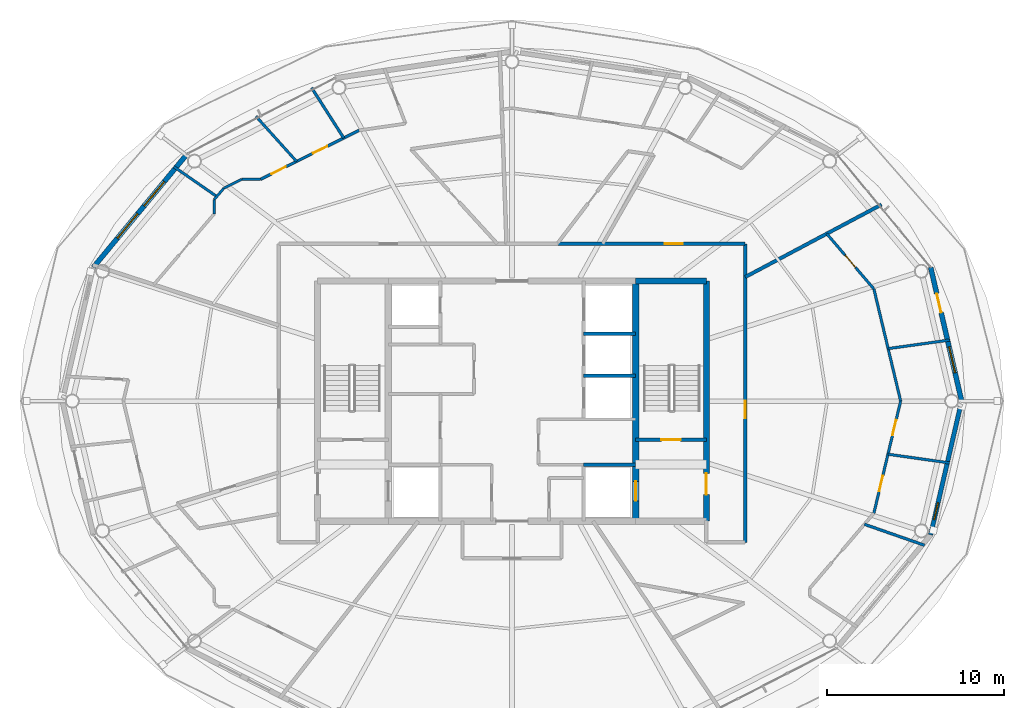
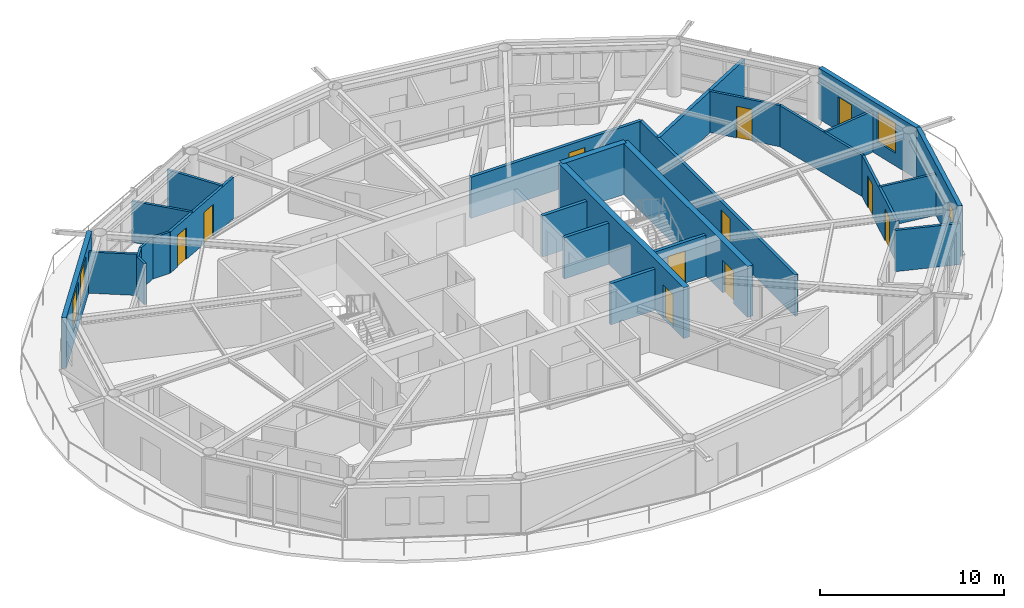
# One storey, part 18 of 22: 27 walls, 11 doors, 4 windows, 15 openings.
"""IFC4 building model written with IfcOpenShell, lengths in metres."""

from ifc_helpers import new_model, si_unit, direction, frame, frame_2d, origin, place, context, subcontext, project, spatial, rectangle, extrude, material, layer, layer_set, type_object, element, fill, save


model = new_model("IFC4")

# Units and contexts
model_context = context("Model", 3, precision=1e-05, world=origin(), true_north=direction((0.0, 1.0)))
body_context = subcontext(model_context, "Body", "Model", "MODEL_VIEW")
ifc_project = project(units=[si_unit("LENGTHUNIT", "METRE"), si_unit("AREAUNIT", "SQUARE_METRE"), si_unit("VOLUMEUNIT", "CUBIC_METRE"), si_unit("PLANEANGLEUNIT", "RADIAN"), si_unit("MASSUNIT", "GRAM", prefix="KILO")], contexts=[model_context])

# Site, building, storey
site_placement = place(None, origin())
site = spatial("IfcSite", under=ifc_project, at=site_placement, CompositionType="ELEMENT")
building_placement = place(site_placement, origin())
building = spatial("IfcBuilding", under=site, at=building_placement, Name="Sarneth Arch Tower", CompositionType="ELEMENT")
storey_placement = place(building_placement, frame((0.0, 0.0, 287.39990234375)))
storey = spatial("IfcBuildingStorey", under=building, at=storey_placement, Name="L74", CompositionType="ELEMENT", Elevation=287.39990234375)

# Wall
ifc_material_1 = material(Name="Concrete C50/60", Category="concrete")
ifc_layer_1 = layer(ifc_material_1, 0.35009765625)
ifc_layer_set_1 = layer_set([ifc_layer_1], Name="Concrete C50/60")
wall_type_1 = type_object("IfcWallType", Name="WALL-CORE-350", PredefinedType="SHEAR", material=ifc_layer_set_1)
wall_1_placement = place(storey_placement, frame((55.0, 48.800048828125, 0.0), z_axis=(0.0, 0.0, 1.0), x_axis=(1.0, 0.0, 0.0)))
element("IfcWall", 1, at=wall_1_placement, inside=storey, type_object=wall_type_1, Name="L74 Core shear wall N-E", PredefinedType="SHEAR", context=body_context, shape_type="SweptSolid", body=[
    extrude(rectangle(XDim=4.0, YDim=0.35009765625, at=frame_2d((2.0, 0.0))), origin(), (0.0, 0.0, 1.0), 3.3701171875),
])

# Wall, opening, door
wall_2_placement = place(storey_placement, frame((59.0, 35.199951171875, 0.0), z_axis=(0.0, 0.0, 1.0), x_axis=(0.0, 1.0, 0.0)))
wall_2 = element("IfcWall", 2, at=wall_2_placement, inside=storey, type_object=wall_type_1, Name="L74 Core shear wall E", PredefinedType="SHEAR", context=body_context, shape_type="SweptSolid", body=[
    extrude(rectangle(XDim=13.60009765625, YDim=0.35009765625, at=frame_2d((6.800048828125, 0.0))), origin(), (0.0, 0.0, 1.0), 3.3701171875),
])
opening_1_placement = place(wall_2_placement, frame((1.5, 0.0, 0.0)))
opening_1 = element("IfcOpeningElement", 3, at=opening_1_placement, cuts=wall_2, Name="Opening FD-02", PredefinedType="OPENING", context=body_context, shape_type="SweptSolid", body=[
    extrude(rectangle(XDim=1.199951171875, YDim=2.14990234375, at=frame_2d((0.60009765625, 1.074951171875))), frame((0.0, 0.18505859375, 0.0), z_axis=(0.0, -1.0, 0.0), x_axis=(1.0, 0.0, 0.0)), (0.0, 0.0, 1.0), 0.3701171875),
])
ifc_material_2 = material(Name="Galvanised Steel S275 fire door set", Category="steel")
door_type_1 = type_object("IfcDoorType", Name="DR-FD90-1200", OperationType="SINGLE_SWING_LEFT", PredefinedType="DOOR", material=ifc_material_2)
door_1_placement = place(opening_1_placement, origin())
door_1 = element("IfcDoor", 4, at=door_1_placement, inside=storey, type_object=door_type_1, Name="L74 Firefighting lobby 2 exit door", OperationType="SINGLE_SWING_RIGHT", OverallHeight=2.14990234375, OverallWidth=1.199951171875, PredefinedType="DOOR", context=body_context, shape_type="SweptSolid", body=[
    extrude(rectangle(XDim=1.199951171875, YDim=2.14990234375, at=frame_2d((0.60009765625, 1.074951171875))), frame((0.0, 0.02490234375, 0.0), z_axis=(0.0, -1.0, 0.0), x_axis=(1.0, 0.0, 0.0)), (0.0, 0.0, 1.0), 0.050048828125),
])
fill(opening_1, door_1)

wall_3_placement = place(storey_placement, frame((55.0, 35.199951171875, 0.0), z_axis=(0.0, 0.0, 1.0), x_axis=(0.0, 1.0, 0.0)))
wall_3 = element("IfcWall", 5, at=wall_3_placement, inside=storey, type_object=wall_type_1, Name="L74 Core shear wall WEB-E", PredefinedType="SHEAR", context=body_context, shape_type="SweptSolid", body=[
    extrude(rectangle(XDim=13.60009765625, YDim=0.35009765625, at=frame_2d((6.800048828125, 0.0))), origin(), (0.0, 0.0, 1.0), 3.3701171875),
])
opening_2_placement = place(wall_3_placement, frame((1.14990234375, 0.0, 0.0)))
opening_2 = element("IfcOpeningElement", 6, at=opening_2_placement, cuts=wall_3, Name="Opening LD-1", PredefinedType="OPENING", context=body_context, shape_type="SweptSolid", body=[
    extrude(rectangle(XDim=1.10009765625, YDim=2.199951171875, at=frame_2d((0.550048828125, 1.10009765625))), frame((0.0, 0.18505859375, 0.0), z_axis=(0.0, -1.0, 0.0), x_axis=(1.0, 0.0, 0.0)), (0.0, 0.0, 1.0), 0.3701171875),
])
ifc_material_3 = material(Name="Brushed Stainless Steel 304 lift landing door", Category="steel")
door_type_2 = type_object("IfcDoorType", Name="DR-LIFT-SLIDE-1100", OperationType="SLIDING_TO_LEFT", PredefinedType="DOOR", material=ifc_material_3)
door_2_placement = place(opening_2_placement, origin())
door_2 = element("IfcDoor", 7, at=door_2_placement, inside=storey, type_object=door_type_2, Name="L74 Firefighting lift landing door FL-2", OperationType="SLIDING_TO_RIGHT", OverallHeight=2.199951171875, OverallWidth=1.10009765625, PredefinedType="DOOR", context=body_context, shape_type="SweptSolid", body=[
    extrude(rectangle(XDim=1.10009765625, YDim=2.199951171875, at=frame_2d((0.550048828125, 1.10009765625))), frame((0.0, 0.02490234375, 0.0), z_axis=(0.0, -1.0, 0.0), x_axis=(1.0, 0.0, 0.0)), (0.0, 0.0, 1.0), 0.050048828125),
])
fill(opening_2, door_2)

ifc_material_4 = material(Name="Double steel-stud corridor fire wall", Category="steel")
ifc_layer_2 = layer(ifc_material_4, 0.18994140625)
ifc_layer_set_2 = layer_set([ifc_layer_2], Name="Double steel-stud corridor fire wall")
wall_type_2 = type_object("IfcWallType", Name="WALL-CORR-190", PredefinedType="PARTITIONING", material=ifc_layer_set_2)
wall_4_placement = place(storey_placement, frame((61.199951171875, 50.89990234375, 0.0), z_axis=(0.0, 0.0, 1.0), x_axis=(0.0, -1.0, 0.0)))
wall_4 = element("IfcWall", 8, at=wall_4_placement, inside=storey, type_object=wall_type_2, Name="L74 Interior partition W-L74-TP-013", PredefinedType="PARTITIONING", context=body_context, shape_type="SweptSolid", body=[
    extrude(rectangle(XDim=16.89990234375, YDim=0.18994140625, at=frame_2d((8.449951171875, 0.0))), origin(), (0.0, 0.0, 1.0), 2.72998046875),
])
opening_3_placement = place(wall_4_placement, frame((8.87255859375, 0.0, 0.0)))
opening_3 = element("IfcOpeningElement", 9, at=opening_3_placement, cuts=wall_4, Name="Opening FD-08", PredefinedType="OPENING", context=body_context, shape_type="SweptSolid", body=[
    extrude(rectangle(XDim=1.0, YDim=2.199951171875, at=frame_2d((0.5, 1.10009765625))), frame((0.0, 0.10498046875, 0.0), z_axis=(0.0, -1.0, 0.0), x_axis=(1.0, 0.0, 0.0)), (0.0, 0.0, 1.0), 0.2099609375),
])
ifc_material_5 = material(Name="Hardwood timber acoustic fire door", Category="wood")
door_type_3 = type_object("IfcDoorType", Name="DR-FD60-1000", OperationType="SINGLE_SWING_LEFT", PredefinedType="DOOR", material=ifc_material_5)
door_3_placement = place(opening_3_placement, origin())
door_3 = element("IfcDoor", 10, at=door_3_placement, inside=storey, type_object=door_type_3, Name="L74 Interior door DR-L74-U5-ENT", OperationType="SINGLE_SWING_LEFT", OverallHeight=2.199951171875, OverallWidth=1.0, PredefinedType="DOOR", context=body_context, shape_type="SweptSolid", body=[
    extrude(rectangle(XDim=1.0, YDim=2.199951171875, at=frame_2d((0.5, 1.10009765625))), frame((0.0, 0.02490234375, 0.0), z_axis=(0.0, -1.0, 0.0), x_axis=(1.0, 0.0, 0.0)), (0.0, 0.0, 1.0), 0.050048828125),
])
fill(opening_3, door_3)

wall_5_placement = place(storey_placement, frame((50.515380859375, 50.89990234375, 0.0), z_axis=(0.0, 0.0, 1.0), x_axis=(1.0, 0.0, 0.0)))
wall_5 = element("IfcWall", 11, at=wall_5_placement, inside=storey, type_object=wall_type_2, Name="L74 Interior partition W-L74-TP-002", PredefinedType="PARTITIONING", context=body_context, shape_type="SweptSolid", body=[
    extrude(rectangle(XDim=10.6845703125, YDim=0.18994140625, at=frame_2d((5.34228515625, 0.0))), origin(), (0.0, 0.0, 1.0), 2.72998046875),
])
opening_4_placement = place(wall_5_placement, frame((6.135498046875, 0.0, 0.0)))
opening_4 = element("IfcOpeningElement", 12, at=opening_4_placement, cuts=wall_5, Name="Opening FD-08", PredefinedType="OPENING", context=body_context, shape_type="SweptSolid", body=[
    extrude(rectangle(XDim=1.0, YDim=2.199951171875, at=frame_2d((0.5, 1.10009765625))), frame((0.0, 0.10498046875, 0.0), z_axis=(0.0, -1.0, 0.0), x_axis=(1.0, 0.0, 0.0)), (0.0, 0.0, 1.0), 0.2099609375),
])
door_4_placement = place(opening_4_placement, origin())
door_4 = element("IfcDoor", 13, at=door_4_placement, inside=storey, type_object=door_type_3, Name="L74 Interior door DR-L74-U1-ENT", OperationType="SINGLE_SWING_LEFT", OverallHeight=2.199951171875, OverallWidth=1.0, PredefinedType="DOOR", context=body_context, shape_type="SweptSolid", body=[
    extrude(rectangle(XDim=1.0, YDim=2.199951171875, at=frame_2d((0.5, 1.10009765625))), frame((0.0, 0.02490234375, 0.0), z_axis=(0.0, -1.0, 0.0), x_axis=(1.0, 0.0, 0.0)), (0.0, 0.0, 1.0), 0.050048828125),
])
fill(opening_4, door_4)

# Wall, opening, window
ifc_material_6 = material(Name="Extruded terracotta rainscreen on Concrete C40/50 backing", Category="masonry")
ifc_layer_3 = layer(ifc_material_6, 0.25)
ifc_layer_set_3 = layer_set([ifc_layer_3], Name="Extruded terracotta rainscreen on Concrete C40/50 backing")
wall_type_3 = type_object("IfcWallType", Name="WALL-EXT-SPAND-250", PredefinedType="SOLIDWALL", material=ifc_layer_set_3)
wall_6_placement = place(storey_placement, frame((71.69384765625, 34.430419921875, 0.0), z_axis=(0.0, 0.0, 1.0), x_axis=(0.225635078214, 0.974211892495, 0.0)))
wall_6 = element("IfcWall", 14, at=wall_6_placement, inside=storey, type_object=wall_type_3, Name="L74 Terracotta perimeter wall 16", PredefinedType="SOLIDWALL", context=body_context, shape_type="SweptSolid", body=[
    extrude(rectangle(XDim=7.77001953125, YDim=0.25, at=frame_2d((3.885009765625, 0.0))), origin(), (0.0, 0.0, 1.0), 3.3701171875),
])
opening_5_placement = place(wall_6_placement, frame((0.877685546875, 0.0, 1.419921875)))
opening_5 = element("IfcOpeningElement", 15, at=opening_5_placement, cuts=wall_6, Name="Opening W-14", PredefinedType="OPENING", context=body_context, shape_type="SweptSolid", body=[
    extrude(rectangle(XDim=1.0, YDim=1.050048828125, at=frame_2d((0.5, 0.52490234375))), frame((0.0, 0.135009765625, 0.0), z_axis=(0.0, -1.0, 0.0), x_axis=(1.0, 0.0, 0.0)), (0.0, 0.0, 1.0), 0.27001953125),
])
ifc_material_7 = material(Name="Thermally broken Aluminium 6063-T6 and low-e laminated IGU", Category="aluminium")
window_type_1 = type_object("IfcWindowType", Name="WIN-TWR-1000x1050", PartitioningType="SINGLE_PANEL", PredefinedType="WINDOW", material=ifc_material_7)
window_1_placement = place(opening_5_placement, origin())
window_1 = element("IfcWindow", 16, at=window_1_placement, inside=storey, type_object=window_type_1, Name="L74 Dwelling bedroom window 04", OverallHeight=1.050048828125, OverallWidth=1.0, PartitioningType="SINGLE_PANEL", PredefinedType="WINDOW", context=body_context, shape_type="SweptSolid", body=[
    extrude(rectangle(XDim=1.0, YDim=1.050048828125, at=frame_2d((0.5, 0.52490234375))), frame((0.0, 0.030029296875, 0.0), z_axis=(0.0, -1.0, 0.0), x_axis=(1.0, 0.0, 0.0)), (0.0, 0.0, 1.0), 0.06005859375),
])
fill(opening_5, window_1)

# Wall, openings, door, window
ifc_material_8 = material(Name="Extruded terracotta rainscreen on Concrete C40/50 backing", Category="masonry")
ifc_layer_4 = layer(ifc_material_8, 0.280029296875)
ifc_layer_set_4 = layer_set([ifc_layer_4], Name="Extruded terracotta rainscreen on Concrete C40/50 backing")
wall_type_4 = type_object("IfcWallType", Name="WALL-EXT-TERRA-280", PredefinedType="SOLIDWALL", material=ifc_layer_set_4)
wall_7_placement = place(storey_placement, frame((73.447021484375, 42.0, 0.0), z_axis=(0.0, 0.0, 1.0), x_axis=(-0.225635078214, 0.974211892495, 0.0)))
wall_7 = element("IfcWall", 17, at=wall_7_placement, inside=storey, type_object=wall_type_4, Name="L74 Terracotta perimeter wall 01", PredefinedType="SOLIDWALL", context=body_context, shape_type="SweptSolid", body=[
    extrude(rectangle(XDim=7.77001953125, YDim=0.280029296875, at=frame_2d((3.885009765625, 0.0))), origin(), (0.0, 0.0, 1.0), 3.3701171875),
])
opening_6_placement = place(wall_7_placement, frame((1.646728515625, 0.0, 0.85009765625)))
opening_6 = element("IfcOpeningElement", 18, at=opening_6_placement, cuts=wall_7, Name="Opening W-06", PredefinedType="OPENING", context=body_context, shape_type="SweptSolid", body=[
    extrude(rectangle(XDim=1.5, YDim=2.0, at=frame_2d((0.75, 1.0))), frame((0.0, 0.14990234375, 0.0), z_axis=(0.0, -1.0, 0.0), x_axis=(1.0, 0.0, 0.0)), (0.0, 0.0, 1.0), 0.300048828125),
])
opening_7_placement = place(wall_7_placement, frame((5.14208984375, 0.0, 0.0)))
opening_7 = element("IfcOpeningElement", 19, at=opening_7_placement, cuts=wall_7, Name="Opening BD-3", PredefinedType="OPENING", context=body_context, shape_type="SweptSolid", body=[
    extrude(rectangle(XDim=1.10009765625, YDim=2.25, at=frame_2d((0.550048828125, 1.125))), frame((0.0, 0.14990234375, 0.0), z_axis=(0.0, -1.0, 0.0), x_axis=(1.0, 0.0, 0.0)), (0.0, 0.0, 1.0), 0.300048828125),
])
ifc_material_9 = material(Name="Thermally broken Aluminium 6063-T6 and laminated safety glass", Category="aluminium")
door_type_4 = type_object("IfcDoorType", Name="DR-BALC-GLZ-1100", OperationType="SINGLE_SWING_LEFT", PredefinedType="DOOR", material=ifc_material_9)
door_5_placement = place(opening_7_placement, origin())
door_5 = element("IfcDoor", 20, at=door_5_placement, inside=storey, type_object=door_type_4, Name="L74 Balcony glazed door 01", OperationType="SINGLE_SWING_LEFT", OverallHeight=2.25, OverallWidth=1.10009765625, PredefinedType="DOOR", context=body_context, shape_type="SweptSolid", body=[
    extrude(rectangle(XDim=1.10009765625, YDim=2.25, at=frame_2d((0.550048828125, 1.125))), frame((0.0, 0.02490234375, 0.0), z_axis=(0.0, -1.0, 0.0), x_axis=(1.0, 0.0, 0.0)), (0.0, 0.0, 1.0), 0.050048828125),
])
fill(opening_7, door_5)
ifc_material_10 = material(Name="Thermally broken Aluminium 6063-T6 and low-e laminated IGU", Category="aluminium")
window_type_2 = type_object("IfcWindowType", Name="WIN-TWR-1500x2000", PartitioningType="SINGLE_PANEL", PredefinedType="WINDOW", material=ifc_material_10)
window_2_placement = place(opening_6_placement, origin())
window_2 = element("IfcWindow", 21, at=window_2_placement, inside=storey, type_object=window_type_2, Name="L74 Exterior window 01A", OverallHeight=2.0, OverallWidth=1.5, PartitioningType="SINGLE_PANEL", PredefinedType="WINDOW", context=body_context, shape_type="SweptSolid", body=[
    extrude(rectangle(XDim=1.5, YDim=2.0, at=frame_2d((0.75, 1.0))), frame((0.0, 0.030029296875, 0.0), z_axis=(0.0, -1.0, 0.0), x_axis=(1.0, 0.0, 0.0)), (0.0, 0.0, 1.0), 0.06005859375),
])
fill(opening_6, window_2)

# Wall, openings, windows
wall_8_placement = place(storey_placement, frame((29.617431640625, 55.986572265625, 0.0), z_axis=(0.0, 0.0, 1.0), x_axis=(-0.63761509934, -0.770355103243, 0.0)))
wall_8 = element("IfcWall", 22, at=wall_8_placement, inside=storey, type_object=wall_type_4, Name="L74 Terracotta perimeter wall 07", PredefinedType="SOLIDWALL", context=body_context, shape_type="SweptSolid", body=[
    extrude(rectangle(XDim=8.329833984375, YDim=0.280029296875, at=frame_2d((4.1650390625, 0.0))), origin(), (0.0, 0.0, 1.0), 3.3701171875),
])
opening_8_placement = place(wall_8_placement, frame((2.0263671875, 0.0, 0.85009765625)))
opening_8 = element("IfcOpeningElement", 23, at=opening_8_placement, cuts=wall_8, Name="Opening W-04", PredefinedType="OPENING", context=body_context, shape_type="SweptSolid", body=[
    extrude(rectangle(XDim=1.800048828125, YDim=2.199951171875, at=frame_2d((0.89990234375, 1.10009765625))), frame((0.0, 0.14990234375, 0.0), z_axis=(0.0, -1.0, 0.0), x_axis=(1.0, 0.0, 0.0)), (0.0, 0.0, 1.0), 0.300048828125),
])
opening_9_placement = place(wall_8_placement, frame((4.396240234375, 0.0, 0.85009765625)))
opening_9 = element("IfcOpeningElement", 24, at=opening_9_placement, cuts=wall_8, Name="Opening W-04", PredefinedType="OPENING", context=body_context, shape_type="SweptSolid", body=[
    extrude(rectangle(XDim=1.800048828125, YDim=2.199951171875, at=frame_2d((0.89990234375, 1.10009765625))), frame((0.0, 0.14990234375, 0.0), z_axis=(0.0, -1.0, 0.0), x_axis=(1.0, 0.0, 0.0)), (0.0, 0.0, 1.0), 0.300048828125),
])
ifc_material_11 = material(Name="Thermally broken Aluminium 6063-T6 and low-e laminated IGU", Category="aluminium")
window_type_3 = type_object("IfcWindowType", Name="WIN-TWR-1800x2200", PartitioningType="DOUBLE_PANEL_VERTICAL", PredefinedType="WINDOW", material=ifc_material_11)
window_3_placement = place(opening_8_placement, origin())
window_3 = element("IfcWindow", 25, at=window_3_placement, inside=storey, type_object=window_type_3, Name="L74 Exterior window 07A", OverallHeight=2.199951171875, OverallWidth=1.800048828125, PartitioningType="SINGLE_PANEL", PredefinedType="WINDOW", context=body_context, shape_type="SweptSolid", body=[
    extrude(rectangle(XDim=1.800048828125, YDim=2.199951171875, at=frame_2d((0.89990234375, 1.10009765625))), frame((0.0, 0.030029296875, 0.0), z_axis=(0.0, -1.0, 0.0), x_axis=(1.0, 0.0, 0.0)), (0.0, 0.0, 1.0), 0.06005859375),
])
fill(opening_8, window_3)
window_4_placement = place(opening_9_placement, origin())
window_4 = element("IfcWindow", 26, at=window_4_placement, inside=storey, type_object=window_type_3, Name="L74 Exterior window 07B", OverallHeight=2.199951171875, OverallWidth=1.800048828125, PartitioningType="SINGLE_PANEL", PredefinedType="WINDOW", context=body_context, shape_type="SweptSolid", body=[
    extrude(rectangle(XDim=1.800048828125, YDim=2.199951171875, at=frame_2d((0.89990234375, 1.10009765625))), frame((0.0, 0.030029296875, 0.0), z_axis=(0.0, -1.0, 0.0), x_axis=(1.0, 0.0, 0.0)), (0.0, 0.0, 1.0), 0.06005859375),
])
fill(opening_9, window_4)

# Walls
ifc_material_12 = material(Name="Apartment internal stud partition", Category="gypsum")
ifc_layer_5 = layer(ifc_material_12, 0.139892578125)
ifc_layer_set_5 = layer_set([ifc_layer_5], Name="Apartment internal stud partition")
wall_type_5 = type_object("IfcWallType", Name="WALL-PART-140", PredefinedType="PARTITIONING", material=ifc_layer_set_5)
wall_9_placement = place(storey_placement, frame((32.710693359375, 54.550048828125, 0.0), z_axis=(0.0, 0.0, 1.0), x_axis=(-0.895409226325, -0.445244109912, 0.0)))
element("IfcWall", 27, at=wall_9_placement, inside=storey, type_object=wall_type_5, Name="L74 Interior partition W-L74-TP-045", PredefinedType="PARTITIONING", context=body_context, shape_type="SweptSolid", body=[
    extrude(rectangle(XDim=1.14111328125, YDim=0.139892578125, at=frame_2d((0.570556640625, 0.0))), origin(), (0.0, 0.0, 1.0), 2.72998046875),
])
wall_10_placement = place(storey_placement, frame((33.773193359375, 54.550048828125, 0.0), z_axis=(0.0, 0.0, 1.0), x_axis=(-1.0, 0.0, 0.0)))
element("IfcWall", 28, at=wall_10_placement, inside=storey, type_object=wall_type_5, Name="L74 Interior partition W-L74-TP-044", PredefinedType="PARTITIONING", context=body_context, shape_type="SweptSolid", body=[
    extrude(rectangle(XDim=1.0625, YDim=0.139892578125, at=frame_2d((0.53125, 0.0))), origin(), (0.0, 0.0, 1.0), 2.72998046875),
])
wall_11_placement = place(storey_placement, frame((31.68896484375, 54.0419921875, 0.0), z_axis=(0.0, 0.0, 1.0), x_axis=(-0.649191857323, -0.760624698774, 0.0)))
element("IfcWall", 29, at=wall_11_placement, inside=storey, type_object=wall_type_5, Name="L74 Interior partition W-L74-TP-046", PredefinedType="PARTITIONING", context=body_context, shape_type="SweptSolid", body=[
    extrude(rectangle(XDim=0.830322265625, YDim=0.139892578125, at=frame_2d((0.4150390625, 0.0))), origin(), (0.0, 0.0, 1.0), 2.72998046875),
])

# Wall, opening, door
ifc_material_13 = material(Name="Acoustic gypsum stud partition", Category="gypsum")
ifc_layer_6 = layer(ifc_material_13, 0.14990234375)
ifc_layer_set_6 = layer_set([ifc_layer_6], Name="Acoustic gypsum stud partition")
wall_type_6 = type_object("IfcWallType", Name="WALL-PART-150", PredefinedType="PARTITIONING", material=ifc_layer_set_6)
wall_12_placement = place(storey_placement, frame((65.8125, 51.47119140625, 0.0), z_axis=(0.0, 0.0, 1.0), x_axis=(0.649224667474, -0.760596694145, 0.0)))
wall_12 = element("IfcWall", 30, at=wall_12_placement, inside=storey, type_object=wall_type_6, Name="L74 Interior partition W-L74-TP-087", PredefinedType="PARTITIONING", context=body_context, shape_type="SweptSolid", body=[
    extrude(rectangle(XDim=4.110107421875, YDim=0.14990234375, at=frame_2d((2.05517578125, 0.0))), origin(), (0.0, 0.0, 1.0), 2.72998046875),
])
opening_10_placement = place(wall_12_placement, frame((1.60498046875, 0.0, 0.0)))
opening_10 = element("IfcOpeningElement", 31, at=opening_10_placement, cuts=wall_12, Name="Opening ID-01", PredefinedType="OPENING", context=body_context, shape_type="SweptSolid", body=[
    extrude(rectangle(XDim=0.89990234375, YDim=2.10009765625, at=frame_2d((0.449951171875, 1.050048828125))), frame((0.0, 0.0849609375, 0.0), z_axis=(0.0, -1.0, 0.0), x_axis=(1.0, 0.0, 0.0)), (0.0, 0.0, 1.0), 0.169921875),
])
ifc_material_14 = material(Name="Engineered hardwood flush door", Category="wood")
door_type_5 = type_object("IfcDoorType", Name="DR-INT-900", OperationType="SINGLE_SWING_LEFT", PredefinedType="DOOR", material=ifc_material_14)
door_6_placement = place(opening_10_placement, origin())
door_6 = element("IfcDoor", 32, at=door_6_placement, inside=storey, type_object=door_type_5, Name="L74 Interior door DR-L74-U5-BED3", OperationType="SINGLE_SWING_LEFT", OverallHeight=2.10009765625, OverallWidth=0.89990234375, PredefinedType="DOOR", context=body_context, shape_type="SweptSolid", body=[
    extrude(rectangle(XDim=0.89990234375, YDim=2.10009765625, at=frame_2d((0.449951171875, 1.050048828125))), frame((0.0, 0.02490234375, 0.0), z_axis=(0.0, -1.0, 0.0), x_axis=(1.0, 0.0, 0.0)), (0.0, 0.0, 1.0), 0.050048828125),
])
fill(opening_10, door_6)

# Walls
wall_13_placement = place(storey_placement, frame((69.28759765625, 44.96728515625, 0.0), z_axis=(0.0, 0.0, 1.0), x_axis=(0.990426984163, 0.138037636323, 0.0)))
element("IfcWall", 33, at=wall_13_placement, inside=storey, type_object=wall_type_6, Name="L74 Interior partition W-L74-TP-091", PredefinedType="PARTITIONING", context=body_context, shape_type="SweptSolid", body=[
    extrude(rectangle(XDim=3.51611328125, YDim=0.14990234375, at=frame_2d((1.758056640625, 0.0))), origin(), (0.0, 0.0, 1.0), 2.72998046875),
])
wall_14_placement = place(storey_placement, frame((72.7587890625, 38.4990234375, 0.0), z_axis=(0.0, 0.0, 1.0), x_axis=(-0.990152617328, 0.139992122627, 0.0)))
element("IfcWall", 34, at=wall_14_placement, inside=storey, type_object=wall_type_6, Name="L74 Interior partition W-L74-TP-090", PredefinedType="PARTITIONING", context=body_context, shape_type="SweptSolid", body=[
    extrude(rectangle(XDim=3.515869140625, YDim=0.14990234375, at=frame_2d((1.7578125, 0.0))), origin(), (0.0, 0.0, 1.0), 2.72998046875),
])
wall_15_placement = place(storey_placement, frame((68.48095703125, 48.344970703125, 0.0), z_axis=(0.0, 0.0, 1.0), x_axis=(0.232298462197, -0.972644551962, 0.0)))
element("IfcWall", 35, at=wall_15_placement, inside=storey, type_object=wall_type_6, Name="L74 Interior partition W-L74-TP-088", PredefinedType="PARTITIONING", context=body_context, shape_type="SweptSolid", body=[
    extrude(rectangle(XDim=6.5234375, YDim=0.14990234375, at=frame_2d((3.26171875, 0.0))), origin(), (0.0, 0.0, 1.0), 2.72998046875),
])

# Wall, openings, doors
wall_16_placement = place(storey_placement, frame((69.996337890625, 42.0, 0.0), z_axis=(0.0, 0.0, 1.0), x_axis=(-0.232298462197, -0.972644551962, 0.0)))
wall_16 = element("IfcWall", 36, at=wall_16_placement, inside=storey, type_object=wall_type_6, Name="L74 Interior partition W-L74-TP-083", PredefinedType="PARTITIONING", context=body_context, shape_type="SweptSolid", body=[
    extrude(rectangle(XDim=6.5234375, YDim=0.14990234375, at=frame_2d((3.26171875, 0.0))), origin(), (0.0, 0.0, 1.0), 2.72998046875),
])
opening_11_placement = place(wall_16_placement, frame((4.34228515625, 0.0, 0.0)))
opening_11 = element("IfcOpeningElement", 37, at=opening_11_placement, cuts=wall_16, Name="Opening ID-01", PredefinedType="OPENING", context=body_context, shape_type="SweptSolid", body=[
    extrude(rectangle(XDim=0.89990234375, YDim=2.10009765625, at=frame_2d((0.449951171875, 1.050048828125))), frame((0.0, 0.0849609375, 0.0), z_axis=(0.0, -1.0, 0.0), x_axis=(1.0, 0.0, 0.0)), (0.0, 0.0, 1.0), 0.169921875),
])
opening_12_placement = place(wall_16_placement, frame((1.0966796875, 0.0, 0.0)))
opening_12 = element("IfcOpeningElement", 38, at=opening_12_placement, cuts=wall_16, Name="Opening ID-01", PredefinedType="OPENING", context=body_context, shape_type="SweptSolid", body=[
    extrude(rectangle(XDim=0.89990234375, YDim=2.10009765625, at=frame_2d((0.449951171875, 1.050048828125))), frame((0.0, 0.0849609375, 0.0), z_axis=(0.0, -1.0, 0.0), x_axis=(1.0, 0.0, 0.0)), (0.0, 0.0, 1.0), 0.169921875),
])
door_7_placement = place(opening_11_placement, origin())
door_7 = element("IfcDoor", 39, at=door_7_placement, inside=storey, type_object=door_type_5, Name="L74 Interior door DR-L74-U5-BED1", OperationType="SINGLE_SWING_LEFT", OverallHeight=2.10009765625, OverallWidth=0.89990234375, PredefinedType="DOOR", context=body_context, shape_type="SweptSolid", body=[
    extrude(rectangle(XDim=0.89990234375, YDim=2.10009765625, at=frame_2d((0.449951171875, 1.050048828125))), frame((0.0, 0.02490234375, 0.0), z_axis=(0.0, -1.0, 0.0), x_axis=(1.0, 0.0, 0.0)), (0.0, 0.0, 1.0), 0.050048828125),
])
fill(opening_11, door_7)
door_8_placement = place(opening_12_placement, origin())
door_8 = element("IfcDoor", 40, at=door_8_placement, inside=storey, type_object=door_type_5, Name="L74 Interior door DR-L74-U5-BED2", OperationType="SINGLE_SWING_LEFT", OverallHeight=2.10009765625, OverallWidth=0.89990234375, PredefinedType="DOOR", context=body_context, shape_type="SweptSolid", body=[
    extrude(rectangle(XDim=0.89990234375, YDim=2.10009765625, at=frame_2d((0.449951171875, 1.050048828125))), frame((0.0, 0.02490234375, 0.0), z_axis=(0.0, -1.0, 0.0), x_axis=(1.0, 0.0, 0.0)), (0.0, 0.0, 1.0), 0.050048828125),
])
fill(opening_12, door_8)

# Walls
wall_17_placement = place(storey_placement, frame((35.807373046875, 55.560546875, 0.0), z_axis=(0.0, 0.0, 1.0), x_axis=(-0.668618761853, 0.743605373365, 0.0)))
element("IfcWall", 41, at=wall_17_placement, inside=storey, type_object=wall_type_6, Name="L74 Interior partition W-L74-TP-052", PredefinedType="PARTITIONING", context=body_context, shape_type="SweptSolid", body=[
    extrude(rectangle(XDim=3.431640625, YDim=0.14990234375, at=frame_2d((1.7158203125, 0.0))), origin(), (0.0, 0.0, 1.0), 2.72998046875),
])
wall_18_placement = place(storey_placement, frame((31.292724609375, 53.57763671875, 0.0), z_axis=(0.0, 0.0, 1.0), x_axis=(-0.821957300328, 0.569549116792, 0.0)))
element("IfcWall", 42, at=wall_18_placement, inside=storey, type_object=wall_type_6, Name="L74 Interior partition W-L74-TP-053", PredefinedType="PARTITIONING", context=body_context, shape_type="SweptSolid", body=[
    extrude(rectangle(XDim=2.956787109375, YDim=0.14990234375, at=frame_2d((1.478515625, 0.0))), origin(), (0.0, 0.0, 1.0), 2.72998046875),
])
wall_19_placement = place(storey_placement, frame((31.14990234375, 52.598876953125, 0.0), z_axis=(0.0, 0.0, 1.0), x_axis=(0.0, 1.0, 0.0)))
element("IfcWall", 43, at=wall_19_placement, inside=storey, type_object=wall_type_6, Name="L74 Interior partition W-L74-TP-048", PredefinedType="PARTITIONING", context=body_context, shape_type="SweptSolid", body=[
    extrude(rectangle(XDim=0.8115234375, YDim=0.14990234375, at=frame_2d((0.40576171875, 0.0))), origin(), (0.0, 0.0, 1.0), 2.72998046875),
])
ifc_material_15 = material(Name="Kitchen wet service chase wall", Category="gypsum")
ifc_layer_7 = layer(ifc_material_15, 0.159912109375)
ifc_layer_set_7 = layer_set([ifc_layer_7], Name="Kitchen wet service chase wall")
wall_type_7 = type_object("IfcWallType", Name="WALL-PLUMB-160", PredefinedType="PLUMBINGWALL", material=ifc_layer_set_7)
wall_20_placement = place(storey_placement, frame((71.348388671875, 33.836669921875, 0.0), z_axis=(0.0, 0.0, 1.0), x_axis=(-0.943978629209, 0.330006587202, 0.0)))
element("IfcWall", 44, at=wall_20_placement, inside=storey, type_object=wall_type_7, Name="L74 Interior partition W-L74-TP-089", PredefinedType="PLUMBINGWALL", context=body_context, shape_type="SweptSolid", body=[
    extrude(rectangle(XDim=3.605712890625, YDim=0.159912109375, at=frame_2d((1.802734375, 0.0))), origin(), (0.0, 0.0, 1.0), 2.72998046875),
])
wall_21_placement = place(storey_placement, frame((38.476806640625, 56.88671875, 0.0), z_axis=(0.0, 0.0, 1.0), x_axis=(-0.538850350107, 0.842401507709, 0.0)))
element("IfcWall", 45, at=wall_21_placement, inside=storey, type_object=wall_type_7, Name="L74 Interior partition W-L74-TP-051", PredefinedType="PLUMBINGWALL", context=body_context, shape_type="SweptSolid", body=[
    extrude(rectangle(XDim=3.373046875, YDim=0.159912109375, at=frame_2d((1.6865234375, 0.0))), origin(), (0.0, 0.0, 1.0), 2.72998046875),
])

# Wall, openings, doors
wall_22_placement = place(storey_placement, frame((33.773193359375, 54.5498046875, 0.0), z_axis=(0.0, 0.0, 1.0), x_axis=(0.895562239868, 0.444936258943, 0.0)))
wall_22 = element("IfcWall", 46, at=wall_22_placement, inside=storey, type_object=wall_type_7, Name="L74 Interior partition W-L74-TP-037", PredefinedType="PLUMBINGWALL", context=body_context, shape_type="SweptSolid", body=[
    extrude(rectangle(XDim=6.221923828125, YDim=0.159912109375, at=frame_2d((3.11083984375, 0.0))), origin(), (0.0, 0.0, 1.0), 2.72998046875),
])
opening_13_placement = place(wall_22_placement, frame((3.311279296875, 0.0, 0.0)))
opening_13 = element("IfcOpeningElement", 47, at=opening_13_placement, cuts=wall_22, Name="Opening ID-01", PredefinedType="OPENING", context=body_context, shape_type="SweptSolid", body=[
    extrude(rectangle(XDim=0.89990234375, YDim=2.10009765625, at=frame_2d((0.449951171875, 1.050048828125))), frame((0.0, 0.08984375, 0.0), z_axis=(0.0, -1.0, 0.0), x_axis=(1.0, 0.0, 0.0)), (0.0, 0.0, 1.0), 0.179931640625),
])
opening_14_placement = place(wall_22_placement, frame((0.685791015625, 0.0, 0.0)))
opening_14 = element("IfcOpeningElement", 48, at=opening_14_placement, cuts=wall_22, Name="Opening ID-01", PredefinedType="OPENING", context=body_context, shape_type="SweptSolid", body=[
    extrude(rectangle(XDim=0.89990234375, YDim=2.10009765625, at=frame_2d((0.449951171875, 1.050048828125))), frame((0.0, 0.08984375, 0.0), z_axis=(0.0, -1.0, 0.0), x_axis=(1.0, 0.0, 0.0)), (0.0, 0.0, 1.0), 0.179931640625),
])
door_9_placement = place(opening_13_placement, origin())
door_9 = element("IfcDoor", 49, at=door_9_placement, inside=storey, type_object=door_type_5, Name="L74 Interior door DR-L74-U2-STD", OperationType="SINGLE_SWING_LEFT", OverallHeight=2.10009765625, OverallWidth=0.89990234375, PredefinedType="DOOR", context=body_context, shape_type="SweptSolid", body=[
    extrude(rectangle(XDim=0.89990234375, YDim=2.10009765625, at=frame_2d((0.449951171875, 1.050048828125))), frame((0.0, 0.02490234375, 0.0), z_axis=(0.0, -1.0, 0.0), x_axis=(1.0, 0.0, 0.0)), (0.0, 0.0, 1.0), 0.050048828125),
])
fill(opening_13, door_9)
door_10_placement = place(opening_14_placement, origin())
door_10 = element("IfcDoor", 50, at=door_10_placement, inside=storey, type_object=door_type_5, Name="L74 Interior door DR-L74-U2-BED1", OperationType="SINGLE_SWING_LEFT", OverallHeight=2.10009765625, OverallWidth=0.89990234375, PredefinedType="DOOR", context=body_context, shape_type="SweptSolid", body=[
    extrude(rectangle(XDim=0.89990234375, YDim=2.10009765625, at=frame_2d((0.449951171875, 1.050048828125))), frame((0.0, 0.02490234375, 0.0), z_axis=(0.0, -1.0, 0.0), x_axis=(1.0, 0.0, 0.0)), (0.0, 0.0, 1.0), 0.050048828125),
])
fill(opening_14, door_10)

# Wall, opening, door
ifc_material_16 = material(Name="Aerated concrete blockwork C25/30", Category="masonry")
ifc_layer_8 = layer(ifc_material_16, 0.199951171875)
ifc_layer_set_8 = layer_set([ifc_layer_8], Name="Aerated concrete blockwork C25/30")
wall_type_8 = type_object("IfcWallType", Name="WALL-SHAFT-200", PredefinedType="SOLIDWALL", material=ifc_layer_set_8)
wall_23_placement = place(storey_placement, frame((55.0, 39.800048828125, 0.0), z_axis=(0.0, 0.0, 1.0), x_axis=(1.0, 0.0, 0.0)))
wall_23 = element("IfcWall", 51, at=wall_23_placement, inside=storey, type_object=wall_type_8, Name="L74 Interior partition W-L74-ST2-S", PredefinedType="SOLIDWALL", context=body_context, shape_type="SweptSolid", body=[
    extrude(rectangle(XDim=4.0, YDim=0.199951171875, at=frame_2d((2.0, 0.0))), origin(), (0.0, 0.0, 1.0), 2.72998046875),
])
opening_15_placement = place(wall_23_placement, frame((1.449951171875, 0.0, 0.0)))
opening_15 = element("IfcOpeningElement", 52, at=opening_15_placement, cuts=wall_23, Name="Opening FD-03", PredefinedType="OPENING", context=body_context, shape_type="SweptSolid", body=[
    extrude(rectangle(XDim=1.10009765625, YDim=2.14990234375, at=frame_2d((0.550048828125, 1.074951171875))), frame((0.0, 0.10986328125, 0.0), z_axis=(0.0, -1.0, 0.0), x_axis=(1.0, 0.0, 0.0)), (0.0, 0.0, 1.0), 0.219970703125),
])
ifc_material_17 = material(Name="Galvanised Steel S275 fire door set", Category="steel")
door_type_6 = type_object("IfcDoorType", Name="DR-FD90-1100", OperationType="SINGLE_SWING_LEFT", PredefinedType="DOOR", material=ifc_material_17)
door_11_placement = place(opening_15_placement, origin())
door_11 = element("IfcDoor", 53, at=door_11_placement, inside=storey, type_object=door_type_6, Name="L74 Interior door DR-L74-ST2", OperationType="SINGLE_SWING_RIGHT", OverallHeight=2.14990234375, OverallWidth=1.10009765625, PredefinedType="DOOR", context=body_context, shape_type="SweptSolid", body=[
    extrude(rectangle(XDim=1.10009765625, YDim=2.14990234375, at=frame_2d((0.550048828125, 1.074951171875))), frame((0.0, 0.02490234375, 0.0), z_axis=(0.0, -1.0, 0.0), x_axis=(1.0, 0.0, 0.0)), (0.0, 0.0, 1.0), 0.050048828125),
])
fill(opening_15, door_11)

# Walls
for number, where, z_axis, x_axis, name in (
    (54, (52.050048828125, 38.39990234375, 0.0), (0.0, 0.0, 1.0), (1.0, 0.0, 0.0), "L74 Interior partition W-L74-FL2-N"),
    (55, (52.050048828125, 43.419921875, 0.0), (0.0, 0.0, 1.0), (1.0, 0.0, 0.0), "L74 Interior partition W-L74-EB-DIV-4342"),
    (56, (52.050048828125, 45.800048828125, 0.0), (0.0, 0.0, 1.0), (1.0, 0.0, 0.0), "L74 Interior partition W-L74-EB-DIV-4580"),
):
    element("IfcWall", number, at=place(storey_placement, frame(where, z_axis=z_axis, x_axis=x_axis)), inside=storey, type_object=wall_type_8, Name=name, PredefinedType="SOLIDWALL", context=body_context, shape_type="SweptSolid", body=[
        extrude(rectangle(XDim=2.949951171875, YDim=0.199951171875, at=frame_2d((1.47509765625, 0.0))), origin(), (0.0, 0.0, 1.0), 2.72998046875),
    ])
ifc_material_18 = material(Name="Double steel-stud acoustic drywall", Category="steel")
ifc_layer_9 = layer(ifc_material_18, 0.199951171875)
ifc_layer_set_9 = layer_set([ifc_layer_9], Name="Double steel-stud acoustic drywall")
wall_type_9 = type_object("IfcWallType", Name="WALL-UNIT-200", PredefinedType="PARTITIONING", material=ifc_layer_set_9)
wall_24_placement = place(storey_placement, frame((68.909423828125, 53.117919921875, 0.0), z_axis=(0.0, 0.0, 1.0), x_axis=(-0.882939716422, -0.469486375909, 0.0)))
element("IfcWall", 57, at=wall_24_placement, inside=storey, type_object=wall_type_9, Name="L74 Interior partition W-L74-TP-031", PredefinedType="PARTITIONING", context=body_context, shape_type="SweptSolid", body=[
    extrude(rectangle(XDim=8.731689453125, YDim=0.199951171875, at=frame_2d((4.36572265625, 0.0))), origin(), (0.0, 0.0, 1.0), 2.72998046875),
])

save(model, "model.ifc")
